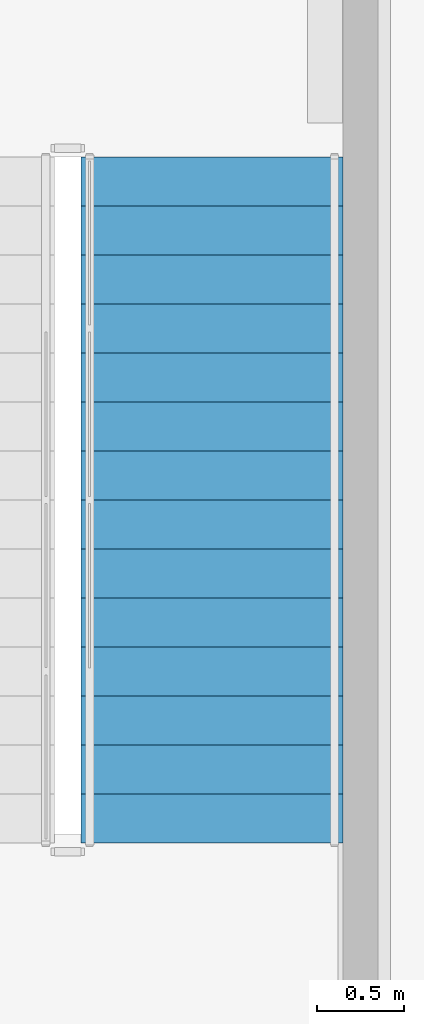
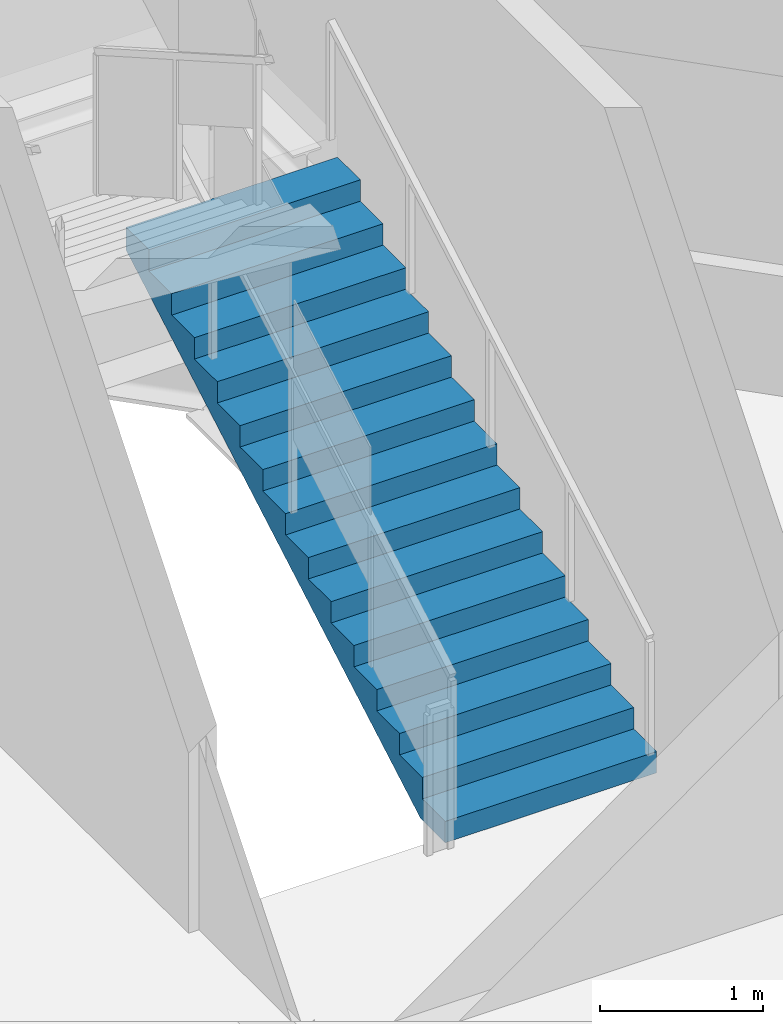
# One storey, part 20 of 26: 1 stair flight, 1 element without a shape of its own.
"""IFC4 building model written with IfcOpenShell, lengths in metres."""

from ifc_helpers import new_model, si_unit, direction, frame, origin, place, context, subcontext, project, spatial, polyline, outline, extrude, material, type_object, element, aggregate, save


model = new_model("IFC4")

# Units and contexts
model_context = context("Model", 3, precision=1e-05, world=origin(), true_north=direction((0.0, 1.0)))
body_context = subcontext(model_context, "Body", "Model", "MODEL_VIEW")
ifc_project = project(units=[si_unit("LENGTHUNIT", "METRE"), si_unit("AREAUNIT", "SQUARE_METRE"), si_unit("VOLUMEUNIT", "CUBIC_METRE"), si_unit("PLANEANGLEUNIT", "RADIAN"), si_unit("MASSUNIT", "GRAM", prefix="KILO")], contexts=[model_context])

# Site, building, storey
site_placement = place(None, origin())
site = spatial("IfcSite", under=ifc_project, at=site_placement, CompositionType="ELEMENT")
building_placement = place(site_placement, origin())
building = spatial("IfcBuilding", under=site, at=building_placement, Name="Cairn Pilgrim Tower", CompositionType="ELEMENT")
storey_placement = place(building_placement, frame((0.0, 0.0, 21.0)))
storey = spatial("IfcBuildingStorey", under=building, at=storey_placement, Name="L03", CompositionType="ELEMENT", Elevation=21.0)

# Stair, stair flight
ifc_material = material(Name="Concrete C35/45", Category="concrete")
stair_type = type_object("IfcStairType", Name="PODIUM EXIT STAIR 1500", PredefinedType="HALF_TURN_STAIR", material=ifc_material)
stair_placement = place(storey_placement, origin())
stair = element("IfcStair", 1, at=stair_placement, inside=storey, type_object=stair_type, Name="L03 Exit Stair Es4", PredefinedType="HALF_TURN_STAIR")
stair_flight_type = type_object("IfcStairFlightType", Name="PODIUM STAIR FLIGHT 1500", PredefinedType="STRAIGHT", material=ifc_material)
stair_flight_placement = place(storey_placement, frame((33.39990234375, 20.199951171875, 0.0), z_axis=(0.0, 0.0, 1.0), x_axis=(0.0, 1.0, 0.0)))
stair_flight = element("IfcStairFlight", 2, at=stair_flight_placement, type_object=stair_flight_type, Name="ST-ES4 flight 1", NumberOfRisers=15, NumberOfTreads=14, PredefinedType="STRAIGHT", RiserHeight=0.16, TreadLength=0.28, context=body_context, shape_type="SweptSolid", body=[
    extrude(outline(polyline([(0.0, 0.0), (0.0, 0.159912109375), (0.280029296875, 0.159912109375), (0.280029296875, 0.320068359375), (0.56005859375, 0.320068359375), (0.56005859375, 0.47998046875), (0.840087890625, 0.47998046875), (0.840087890625, 0.639892578125), (1.1201171875, 0.639892578125), (1.1201171875, 0.800048828125), (1.39990234375, 0.800048828125), (1.39990234375, 0.9599609375), (1.679931640625, 0.9599609375), (1.679931640625, 1.1201171875), (1.9599609375, 1.1201171875), (1.9599609375, 1.280029296875), (2.239990234375, 1.280029296875), (2.239990234375, 1.43994140625), (2.52001953125, 1.43994140625), (2.52001953125, 1.60009765625), (2.800048828125, 1.60009765625), (2.800048828125, 1.760009765625), (3.080078125, 1.760009765625), (3.080078125, 1.919921875), (3.360107421875, 1.919921875), (3.360107421875, 2.080078125), (3.639892578125, 2.080078125), (3.639892578125, 2.239990234375), (3.919921875, 2.239990234375), (3.919921875, 2.39990234375), (3.919921875, 2.0673828125), (0.30224609375, 0.0), (0.0, 0.0)])), frame((0.0, 0.75, 0.0), z_axis=(0.0, -1.0, 0.0), x_axis=(1.0, 0.0, 0.0)), (0.0, 0.0, 1.0), 1.5),
])
aggregate(stair, [stair_flight])

save(model, "model.ifc")
